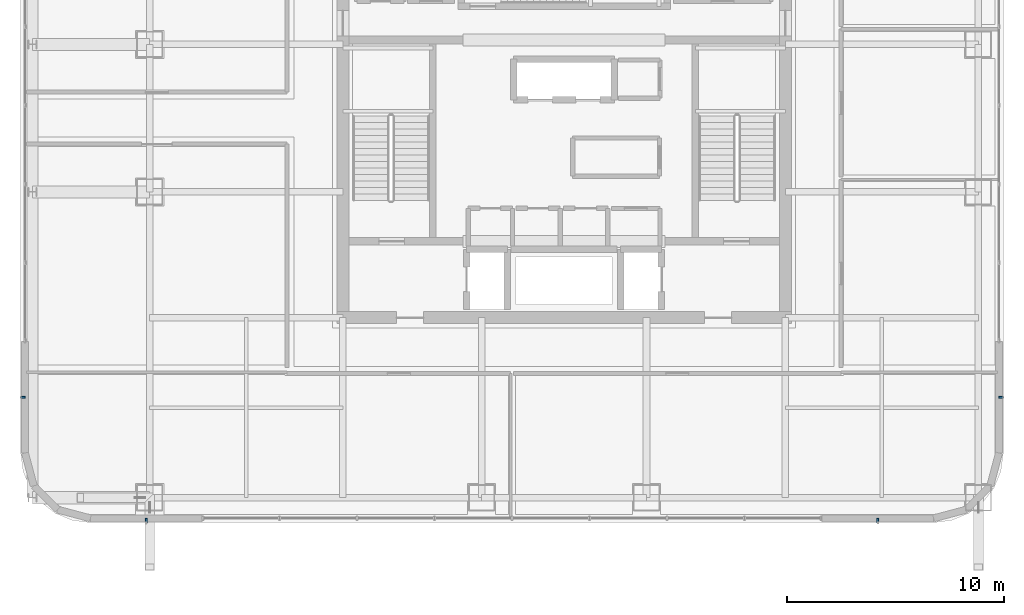
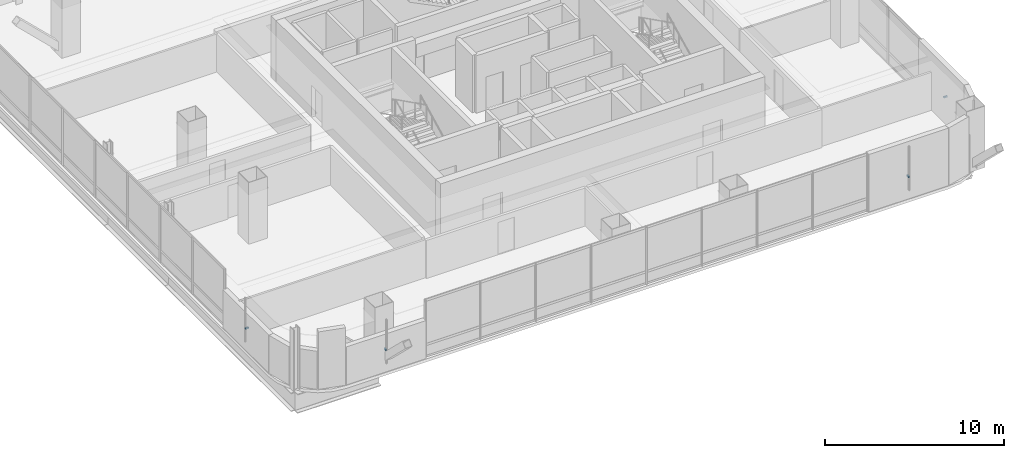
# One storey, part 37 of 51: 4 discrete accessories.
"""IFC4 building model written with IfcOpenShell, lengths in metres."""

from ifc_helpers import new_model, si_unit, direction, frame, origin, origin_2d, place, context, subcontext, project, spatial, rectangle, extrude, material, type_object, element, save


model = new_model("IFC4")

# Units and contexts
model_context = context("Model", 3, precision=1e-05, world=origin(), true_north=direction((0.0, 1.0)))
body_context = subcontext(model_context, "Body", "Model", "MODEL_VIEW")
ifc_project = project(units=[si_unit("LENGTHUNIT", "METRE"), si_unit("AREAUNIT", "SQUARE_METRE"), si_unit("VOLUMEUNIT", "CUBIC_METRE"), si_unit("PLANEANGLEUNIT", "RADIAN"), si_unit("MASSUNIT", "GRAM", prefix="KILO")], contexts=[model_context])

# Site, building, storey
site_placement = place(None, origin())
site = spatial("IfcSite", under=ifc_project, at=site_placement, CompositionType="ELEMENT")
building_placement = place(site_placement, origin())
building = spatial("IfcBuilding", under=site, at=building_placement, Name="Punatoya Terracotta Tower", CompositionType="ELEMENT")
storey_placement = place(building_placement, frame((0.0, 0.0, 313.199951171875)))
storey = spatial("IfcBuildingStorey", under=building, at=storey_placement, Name="L74", CompositionType="ELEMENT", Elevation=313.199951171875)

# Discrete accessories
ifc_material = material(Name="Steel S355", Category="steel")
discrete_accessory_type = type_object("IfcDiscreteAccessoryType", Name="ACC-BRK-220", PredefinedType="BRACKET", material=ifc_material)
for number, where, z_axis, x_axis, name in (
    (1, (-19.2685546875, -18.550048828125, 1.449951171875), (0.0, 0.0, 1.0), (1.0, 0.0, 0.0), "L74 Jali Fin Support Bracket S1"),
    (2, (14.468505859375, -18.550048828125, 1.449951171875), (0.0, 0.0, 1.0), (1.0, 0.0, 0.0), "L74 Jali Fin Support Bracket S2"),
    (3, (20.14990234375, -12.868408203125, 1.449951171875), (0.0, 0.0, 1.0), (0.0, 1.0, 0.0), "L74 Jali Fin Support Bracket E1"),
    (4, (-24.949951171875, -12.868408203125, 1.449951171875), (0.0, 0.0, 1.0), (0.0, -1.0, 0.0), "L74 Jali Fin Support Bracket W2"),
):
    element("IfcDiscreteAccessory", number, at=place(storey_placement, frame(where, z_axis=z_axis, x_axis=x_axis)), inside=storey, type_object=discrete_accessory_type, Name=name, PredefinedType="BRACKET", context=body_context, shape_type="SweptSolid", body=[
        extrude(rectangle(XDim=0.090087890625, YDim=0.219970703125, at=origin_2d()), origin(), (0.0, 0.0, 1.0), 0.10009765625),
    ])

save(model, "model.ifc")
